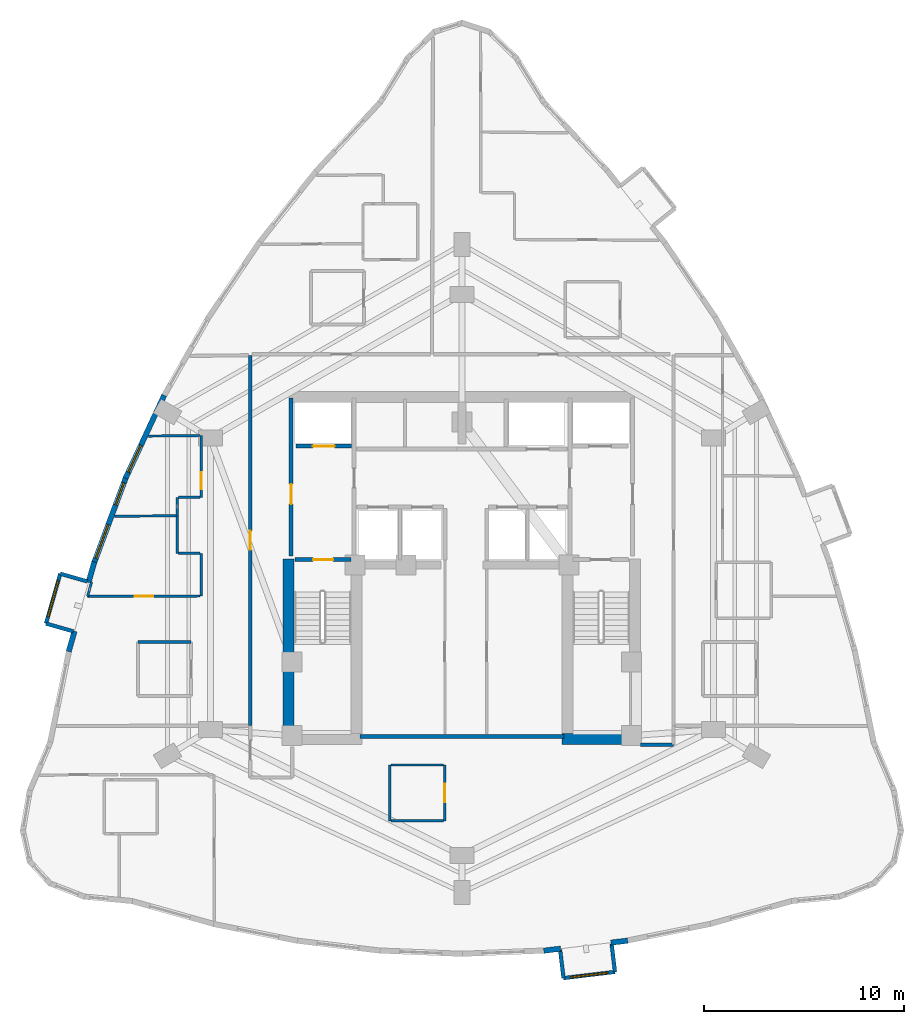
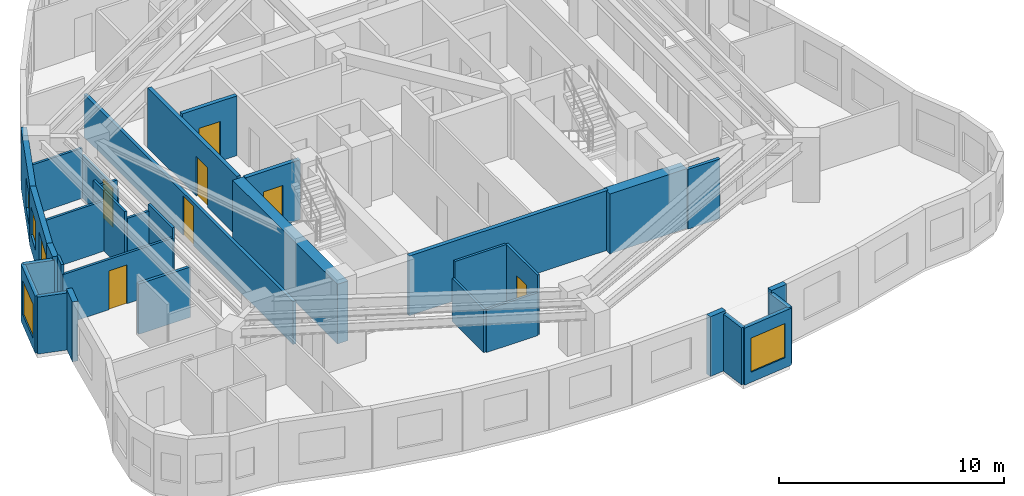
# One storey, part 9 of 14: 35 walls, 7 doors, 5 windows, 12 openings.
"""IFC4 building model written with IfcOpenShell, lengths in metres."""

from ifc_helpers import new_model, si_unit, direction, frame, frame_2d, origin, place, context, subcontext, project, spatial, rectangle, extrude, material, layer, layer_set, type_object, element, fill, save


model = new_model("IFC4")

# Units and contexts
model_context = context("Model", 3, precision=1e-05, world=origin(), true_north=direction((0.0, 1.0)))
body_context = subcontext(model_context, "Body", "Model", "MODEL_VIEW")
ifc_project = project(units=[si_unit("LENGTHUNIT", "METRE"), si_unit("AREAUNIT", "SQUARE_METRE"), si_unit("VOLUMEUNIT", "CUBIC_METRE"), si_unit("PLANEANGLEUNIT", "RADIAN"), si_unit("MASSUNIT", "GRAM", prefix="KILO")], contexts=[model_context])

# Site, building, storey
site_placement = place(None, origin())
site = spatial("IfcSite", under=ifc_project, at=site_placement, CompositionType="ELEMENT")
building_placement = place(site_placement, origin())
building = spatial("IfcBuilding", under=site, at=building_placement, Name="Miruveldt Soraemaru", CompositionType="ELEMENT")
storey_placement = place(building_placement, frame((0.0, 0.0, 117.89990234375)))
storey = spatial("IfcBuildingStorey", under=building, at=storey_placement, Name="L32", CompositionType="ELEMENT", Elevation=117.89990234375)

# Walls
ifc_material_1 = material(Name="White powder-coated aluminium EN AW-6060 T6", Category="aluminium")
ifc_layer_1 = layer(ifc_material_1, 0.18994140625, Name="White powder-coated aluminium EN AW-6060 T6", Category="aluminium")
ifc_layer_set_1 = layer_set([ifc_layer_1], Name="White powder-coated aluminium EN AW-6060 T6")
wall_type_1 = type_object("IfcWallType", Name="WALL-BAY-ALU190", PredefinedType="SOLIDWALL", material=ifc_layer_set_1)
for number, where, z_axis, x_axis, name in (
    (1, (25.25537109375, 43.22021484375, 0.0), (0.0, 0.0, 1.0), (-0.961452801096, 0.274970018845, 0.0), "L32 Bay Window Side Cheek 1L"),
    (2, (23.17041015625, 41.1123046875, 0.0), (0.0, 0.0, 1.0), (0.961452801096, -0.274970018845, 0.0), "L32 Bay Window Side Cheek 1R"),
):
    element("IfcWall", number, at=place(storey_placement, frame(where, z_axis=z_axis, x_axis=x_axis)), inside=storey, type_object=wall_type_1, Name=name, PredefinedType="SOLIDWALL", context=body_context, shape_type="SweptSolid", body=[
        extrude(rectangle(XDim=1.425048828125, YDim=0.18994140625, at=frame_2d((0.71240234375, 0.0))), origin(), (0.0, 0.0, 1.0), 3.085205078125),
    ])

# Wall, opening, window
wall_1_placement = place(storey_placement, frame((23.88525390625, 43.612060546875, 0.0), z_axis=(0.0, 0.0, 1.0), x_axis=(-0.274944358644, -0.961460139397, 0.0)))
wall_1 = element("IfcWall", 3, at=wall_1_placement, inside=storey, type_object=wall_type_1, Name="L32 Bay Window Front Frame 1", PredefinedType="SOLIDWALL", context=body_context, shape_type="SweptSolid", body=[
    extrude(rectangle(XDim=2.599853515625, YDim=0.18994140625, at=frame_2d((1.2998046875, 0.0))), origin(), (0.0, 0.0, 1.0), 3.085205078125),
])
opening_1_placement = place(wall_1_placement, frame((0.35009765625, 0.0, 0.550048828125)))
opening_1 = element("IfcOpeningElement", 4, at=opening_1_placement, cuts=wall_1, Name="Opening WN-6", PredefinedType="OPENING", context=body_context, shape_type="SweptSolid", body=[
    extrude(rectangle(XDim=1.89990234375, YDim=1.85009765625, at=frame_2d((0.949951171875, 0.925048828125))), frame((0.0, 0.10498046875, 0.0), z_axis=(0.0, -1.0, 0.0), x_axis=(1.0, 0.0, 0.0)), (0.0, 0.0, 1.0), 0.2099609375),
])
ifc_material_2 = material(Name="Triple low-e insulated glazing", Category="glass")
window_type_1 = type_object("IfcWindowType", Name="WIN-BAYW-1900x1850", PartitioningType="SINGLE_PANEL", PredefinedType="WINDOW", material=ifc_material_2)
window_1_placement = place(opening_1_placement, origin())
window_1 = element("IfcWindow", 5, at=window_1_placement, inside=storey, type_object=window_type_1, Name="L32 Projecting Bay Window 1", OverallHeight=1.85009765625, OverallWidth=1.89990234375, PartitioningType="SINGLE_PANEL", PredefinedType="WINDOW", context=body_context, shape_type="SweptSolid", body=[
    extrude(rectangle(XDim=1.89990234375, YDim=1.85009765625, at=frame_2d((0.949951171875, 0.925048828125))), frame((0.0, 0.030029296875, 0.0), z_axis=(0.0, -1.0, 0.0), x_axis=(1.0, 0.0, 0.0)), (0.0, 0.0, 1.0), 0.06005859375),
])
fill(opening_1, window_1)

# Walls
for number, where, z_axis, x_axis, name in (
    (6, (48.915283203125, 24.7744140625, 0.0), (0.0, 0.0, 1.0), (0.119246559468, -0.992864672579, 0.0), "L32 Bay Window Side Cheek 2L"),
    (7, (51.66650390625, 23.66943359375, 0.0), (0.0, 0.0, 1.0), (-0.119077659317, 0.992884943511, 0.0), "L32 Bay Window Side Cheek 2R"),
):
    element("IfcWall", number, at=place(storey_placement, frame(where, z_axis=z_axis, x_axis=x_axis)), inside=storey, type_object=wall_type_1, Name=name, PredefinedType="SOLIDWALL", context=body_context, shape_type="SweptSolid", body=[
        extrude(rectangle(XDim=1.425048828125, YDim=0.18994140625, at=frame_2d((0.71240234375, 0.0))), origin(), (0.0, 0.0, 1.0), 3.085205078125),
    ])

# Wall, opening, window
wall_2_placement = place(storey_placement, frame((49.085205078125, 23.359619140625, 0.0), z_axis=(0.0, 0.0, 1.0), x_axis=(0.992874172121, 0.119167438232, 0.0)))
wall_2 = element("IfcWall", 8, at=wall_2_placement, inside=storey, type_object=wall_type_1, Name="L32 Bay Window Front Frame 2", PredefinedType="SOLIDWALL", context=body_context, shape_type="SweptSolid", body=[
    extrude(rectangle(XDim=2.599853515625, YDim=0.18994140625, at=frame_2d((1.2998046875, 0.0))), origin(), (0.0, 0.0, 1.0), 3.085205078125),
])
opening_2_placement = place(wall_2_placement, frame((0.35009765625, 0.0, 0.550048828125)))
opening_2 = element("IfcOpeningElement", 9, at=opening_2_placement, cuts=wall_2, Name="Opening WN-6", PredefinedType="OPENING", context=body_context, shape_type="SweptSolid", body=[
    extrude(rectangle(XDim=1.89990234375, YDim=1.85009765625, at=frame_2d((0.949951171875, 0.925048828125))), frame((0.0, 0.10498046875, 0.0), z_axis=(0.0, -1.0, 0.0), x_axis=(1.0, 0.0, 0.0)), (0.0, 0.0, 1.0), 0.2099609375),
])
window_2_placement = place(opening_2_placement, origin())
window_2 = element("IfcWindow", 10, at=window_2_placement, inside=storey, type_object=window_type_1, Name="L32 Projecting Bay Window 2", OverallHeight=1.85009765625, OverallWidth=1.89990234375, PartitioningType="SINGLE_PANEL", PredefinedType="WINDOW", context=body_context, shape_type="SweptSolid", body=[
    extrude(rectangle(XDim=1.89990234375, YDim=1.85009765625, at=frame_2d((0.949951171875, 0.925048828125))), frame((0.0, 0.030029296875, 0.0), z_axis=(0.0, -1.0, 0.0), x_axis=(1.0, 0.0, 0.0)), (0.0, 0.0, 1.0), 0.06005859375),
])
fill(opening_2, window_2)

# Walls
ifc_material_3 = material(Name="Concrete C70/85 (70 MPa)", Category="concrete")
ifc_layer_2 = layer(ifc_material_3, 0.550048828125, Name="Concrete C70/85 (70 MPa)", Category="concrete")
ifc_layer_set_2 = layer_set([ifc_layer_2], Name="Concrete C70/85 (70 MPa)")
wall_type_2 = type_object("IfcWallType", Name="WALL-CW-550", PredefinedType="SHEAR", material=ifc_layer_set_2)
wall_3_placement = place(storey_placement, frame((49.0, 35.324951171875, 0.0), z_axis=(0.0, 0.0, 1.0), x_axis=(1.0, 0.0, 0.0)))
element("IfcWall", 11, at=wall_3_placement, inside=storey, type_object=wall_type_2, Name="L32 Central Core Shear Wall S2", PredefinedType="SHEAR", context=body_context, shape_type="SweptSolid", body=[
    extrude(rectangle(XDim=3.949951171875, YDim=0.550048828125, at=frame_2d((1.97509765625, 0.0))), origin(), (0.0, 0.0, 1.0), 3.235107421875),
])
wall_4_placement = place(storey_placement, frame((35.324951171875, 35.050048828125, 0.0), z_axis=(0.0, 0.0, 1.0), x_axis=(0.0, 1.0, 0.0)))
element("IfcWall", 12, at=wall_4_placement, inside=storey, type_object=wall_type_2, Name="L32 Central Core Shear Wall W1", PredefinedType="SHEAR", context=body_context, shape_type="SweptSolid", body=[
    extrude(rectangle(XDim=9.300048828125, YDim=0.550048828125, at=frame_2d((4.64990234375, 0.0))), origin(), (0.0, 0.0, 1.0), 3.235107421875),
])

# Wall, opening, window
ifc_material_4 = material(Name="Precast concrete C45/55 (45 MPa)", Category="concrete")
ifc_layer_3 = layer(ifc_material_4, 0.27001953125, Name="Precast concrete C45/55 (45 MPa)", Category="concrete")
ifc_layer_set_3 = layer_set([ifc_layer_3], Name="Precast concrete C45/55 (45 MPa)")
wall_type_3 = type_object("IfcWallType", Name="WALL-EXT-PC270", PredefinedType="SOLIDWALL", material=ifc_layer_set_3)
wall_5_placement = place(storey_placement, frame((29.089599609375, 52.54638671875, 0.0), z_axis=(0.0, 0.0, 1.0), x_axis=(-0.422328448577, -0.90644287273, 0.0)))
wall_5 = element("IfcWall", 13, at=wall_5_placement, inside=storey, type_object=wall_type_3, Name="L32 Precast Concrete Facade Wall 11", PredefinedType="SOLIDWALL", context=body_context, shape_type="SweptSolid", body=[
    extrude(rectangle(XDim=4.58349609375, YDim=0.27001953125, at=frame_2d((2.291748046875, 0.0))), origin(), (0.0, 0.0, 1.0), 3.235107421875),
])
opening_3_placement = place(wall_5_placement, frame((2.756103515625, 0.0, 0.800048828125)))
opening_3 = element("IfcOpeningElement", 14, at=opening_3_placement, cuts=wall_5, Name="Opening WN-3", PredefinedType="OPENING", context=body_context, shape_type="SweptSolid", body=[
    extrude(rectangle(XDim=1.5, YDim=1.60009765625, at=frame_2d((0.75, 0.800048828125))), frame((0.0, 0.14501953125, 0.0), z_axis=(0.0, -1.0, 0.0), x_axis=(1.0, 0.0, 0.0)), (0.0, 0.0, 1.0), 0.2900390625),
])
window_type_2 = type_object("IfcWindowType", Name="WIN-PUNCH-1500x1600", PartitioningType="SINGLE_PANEL", PredefinedType="WINDOW", material=ifc_material_2)
window_3_placement = place(opening_3_placement, origin())
window_3 = element("IfcWindow", 15, at=window_3_placement, inside=storey, type_object=window_type_2, Name="L32 Punched Triple-Glazed Window 11.1", OverallHeight=1.60009765625, OverallWidth=1.5, PartitioningType="SINGLE_PANEL", PredefinedType="WINDOW", context=body_context, shape_type="SweptSolid", body=[
    extrude(rectangle(XDim=1.5, YDim=1.60009765625, at=frame_2d((0.75, 0.800048828125))), frame((0.0, 0.030029296875, 0.0), z_axis=(0.0, -1.0, 0.0), x_axis=(1.0, 0.0, 0.0)), (0.0, 0.0, 1.0), 0.06005859375),
])
fill(opening_3, window_3)

# Wall, openings, windows
wall_6_placement = place(storey_placement, frame((27.180908203125, 48.4560546875, 0.0), z_axis=(0.0, 0.0, 1.0), x_axis=(-0.349016975662, -0.937116401895, 0.0)))
wall_6 = element("IfcWall", 16, at=wall_6_placement, inside=storey, type_object=wall_type_3, Name="L32 Precast Concrete Facade Wall 12", PredefinedType="SOLIDWALL", context=body_context, shape_type="SweptSolid", body=[
    extrude(rectangle(XDim=4.612548828125, YDim=0.27001953125, at=frame_2d((2.30615234375, 0.0))), origin(), (0.0, 0.0, 1.0), 3.235107421875),
])
opening_4_placement = place(wall_6_placement, frame((0.302001953125, 0.0, 0.780029296875)))
opening_4 = element("IfcOpeningElement", 17, at=opening_4_placement, cuts=wall_6, Name="Opening WN-4", PredefinedType="OPENING", context=body_context, shape_type="SweptSolid", body=[
    extrude(rectangle(XDim=1.199951171875, YDim=1.550048828125, at=frame_2d((0.60009765625, 0.77490234375))), frame((0.0, 0.14501953125, 0.0), z_axis=(0.0, -1.0, 0.0), x_axis=(1.0, 0.0, 0.0)), (0.0, 0.0, 1.0), 0.2900390625),
])
opening_5_placement = place(wall_6_placement, frame((2.549072265625, 0.0, 0.800048828125)))
opening_5 = element("IfcOpeningElement", 18, at=opening_5_placement, cuts=wall_6, Name="Opening WN-2", PredefinedType="OPENING", context=body_context, shape_type="SweptSolid", body=[
    extrude(rectangle(XDim=1.800048828125, YDim=1.64990234375, at=frame_2d((0.89990234375, 0.824951171875))), frame((0.0, 0.14501953125, 0.0), z_axis=(0.0, -1.0, 0.0), x_axis=(1.0, 0.0, 0.0)), (0.0, 0.0, 1.0), 0.2900390625),
])
window_type_3 = type_object("IfcWindowType", Name="WIN-PUNCH-1200x1550", PartitioningType="SINGLE_PANEL", PredefinedType="WINDOW", material=ifc_material_2)
window_4_placement = place(opening_4_placement, origin())
window_4 = element("IfcWindow", 19, at=window_4_placement, inside=storey, type_object=window_type_3, Name="L32 Punched Triple-Glazed Window 12.1", OverallHeight=1.550048828125, OverallWidth=1.199951171875, PartitioningType="SINGLE_PANEL", PredefinedType="WINDOW", context=body_context, shape_type="SweptSolid", body=[
    extrude(rectangle(XDim=1.199951171875, YDim=1.550048828125, at=frame_2d((0.60009765625, 0.77490234375))), frame((0.0, 0.030029296875, 0.0), z_axis=(0.0, -1.0, 0.0), x_axis=(1.0, 0.0, 0.0)), (0.0, 0.0, 1.0), 0.06005859375),
])
fill(opening_4, window_4)
window_type_4 = type_object("IfcWindowType", Name="WIN-PUNCH-1800x1650", PartitioningType="SINGLE_PANEL", PredefinedType="WINDOW", material=ifc_material_2)
window_5_placement = place(opening_5_placement, origin())
window_5 = element("IfcWindow", 20, at=window_5_placement, inside=storey, type_object=window_type_4, Name="L32 Punched Triple-Glazed Window 12.2", OverallHeight=1.64990234375, OverallWidth=1.800048828125, PartitioningType="SINGLE_PANEL", PredefinedType="WINDOW", context=body_context, shape_type="SweptSolid", body=[
    extrude(rectangle(XDim=1.800048828125, YDim=1.64990234375, at=frame_2d((0.89990234375, 0.824951171875))), frame((0.0, 0.030029296875, 0.0), z_axis=(0.0, -1.0, 0.0), x_axis=(1.0, 0.0, 0.0)), (0.0, 0.0, 1.0), 0.06005859375),
])
fill(opening_5, window_5)

# Walls
for number, where, z_axis, x_axis, name in (
    (21, (25.5927734375, 44.2001953125, 0.0), (0.0, 0.0, 1.0), (-0.274933117424, -0.961463353927, 0.0), "L32 Precast Pier Wall 13A"),
    (22, (24.6015625, 40.734130859375, 0.0), (0.0, 0.0, 1.0), (-0.274933117424, -0.961463353927, 0.0), "L32 Precast Pier Wall 13B"),
):
    element("IfcWall", number, at=place(storey_placement, frame(where, z_axis=z_axis, x_axis=x_axis)), inside=storey, type_object=wall_type_3, Name=name, PredefinedType="SOLIDWALL", context=body_context, shape_type="SweptSolid", body=[
        extrude(rectangle(XDim=1.064697265625, YDim=0.27001953125, at=frame_2d((0.5322265625, 0.0))), origin(), (0.0, 0.0, 1.0), 3.235107421875),
    ])
wall_7_placement = place(storey_placement, frame((48.09814453125, 24.731689453125, 0.0), z_axis=(0.0, 0.0, 1.0), x_axis=(0.992848154991, 0.119384007019, 0.0)))
element("IfcWall", 23, at=wall_7_placement, inside=storey, type_object=wall_type_3, Name="L32 Precast Pier Wall 26A", PredefinedType="SOLIDWALL", context=body_context, shape_type="SweptSolid", body=[
    extrude(rectangle(XDim=0.8466796875, YDim=0.27001953125, at=frame_2d((0.42333984375, 0.0))), origin(), (0.0, 0.0, 1.0), 3.235107421875),
])
wall_8_placement = place(storey_placement, frame((51.46044921875, 25.13525390625, 0.0), z_axis=(0.0, 0.0, 1.0), x_axis=(0.992878203373, 0.119133846018, 0.0)))
element("IfcWall", 24, at=wall_8_placement, inside=storey, type_object=wall_type_3, Name="L32 Precast Pier Wall 26B", PredefinedType="SOLIDWALL", context=body_context, shape_type="SweptSolid", body=[
    extrude(rectangle(XDim=0.846435546875, YDim=0.27001953125, at=frame_2d((0.42333984375, 0.0))), origin(), (0.0, 0.0, 1.0), 3.235107421875),
])

# Wall, opening, door
ifc_material_5 = material(Name="Gypsum plasterboard lining", Category="gypsum")
ifc_layer_4 = layer(ifc_material_5, 0.1201171875, Name="Gypsum plasterboard lining", Category="gypsum")
ifc_layer_set_4 = layer_set([ifc_layer_4], Name="Gypsum plasterboard lining")
wall_type_4 = type_object("IfcWallType", Name="WALL-INT-P120", PredefinedType="PARTITIONING", material=ifc_layer_set_4)
wall_9_placement = place(storey_placement, frame((30.889892578125, 42.491943359375, 0.0), z_axis=(0.0, 0.0, 1.0), x_axis=(-0.999994289867, -0.003379383675, 0.0)))
wall_9 = element("IfcWall", 25, at=wall_9_placement, inside=storey, type_object=wall_type_4, Name="L32 Partition Wall 43", PredefinedType="PARTITIONING", context=body_context, shape_type="SweptSolid", body=[
    extrude(rectangle(XDim=5.635009765625, YDim=0.1201171875, at=frame_2d((2.8173828125, 0.0))), origin(), (0.0, 0.0, 1.0), 2.72314453125),
])
opening_6_placement = place(wall_9_placement, frame((2.35791015625, 0.0, 0.0)))
opening_6 = element("IfcOpeningElement", 26, at=opening_6_placement, cuts=wall_9, Name="Opening D3A", PredefinedType="OPENING", context=body_context, shape_type="SweptSolid", body=[
    extrude(rectangle(XDim=0.919921875, YDim=2.10009765625, at=frame_2d((0.4599609375, 1.050048828125))), frame((0.0, 0.070068359375, 0.0), z_axis=(0.0, -1.0, 0.0), x_axis=(1.0, 0.0, 0.0)), (0.0, 0.0, 1.0), 0.14013671875),
])
ifc_material_6 = material(Name="Anodised aluminium EN AW-6063 T6", Category="aluminium")
door_type_1 = type_object("IfcDoorType", Name="DOOR-INT-920", OperationType="NOTDEFINED", PredefinedType="DOOR", material=ifc_material_6)
door_1_placement = place(opening_6_placement, origin())
door_1 = element("IfcDoor", 27, at=door_1_placement, inside=storey, type_object=door_type_1, Name="L32 Unit 3203 BD1 Door", OperationType="SINGLE_SWING_LEFT", OverallHeight=2.10009765625, OverallWidth=0.919921875, PredefinedType="DOOR", context=body_context, shape_type="SweptSolid", body=[
    extrude(rectangle(XDim=0.919921875, YDim=2.10009765625, at=frame_2d((0.4599609375, 1.050048828125))), frame((0.0, 0.02490234375, 0.0), z_axis=(0.0, -1.0, 0.0), x_axis=(1.0, 0.0, 0.0)), (0.0, 0.0, 1.0), 0.050048828125),
])
fill(opening_6, door_1)

wall_10_placement = place(storey_placement, frame((30.949951171875, 50.531005859375, 0.0), z_axis=(0.0, 0.0, 1.0), x_axis=(0.0, -1.0, 0.0)))
wall_10 = element("IfcWall", 28, at=wall_10_placement, inside=storey, type_object=wall_type_4, Name="L32 Partition Wall 45", PredefinedType="PARTITIONING", context=body_context, shape_type="SweptSolid", body=[
    extrude(rectangle(XDim=3.10107421875, YDim=0.1201171875, at=frame_2d((1.550537109375, 0.0))), origin(), (0.0, 0.0, 1.0), 2.322998046875),
])
opening_7_placement = place(wall_10_placement, frame((1.840087890625, 0.0, 0.0)))
opening_7 = element("IfcOpeningElement", 29, at=opening_7_placement, cuts=wall_10, Name="Opening FD3", PredefinedType="OPENING", context=body_context, shape_type="SweptSolid", body=[
    extrude(rectangle(XDim=0.85009765625, YDim=2.10009765625, at=frame_2d((0.425048828125, 1.050048828125))), frame((0.0, 0.070068359375, 0.0), z_axis=(0.0, -1.0, 0.0), x_axis=(1.0, 0.0, 0.0)), (0.0, 0.0, 1.0), 0.14013671875),
])
door_type_2 = type_object("IfcDoorType", Name="DOOR-FD3-850", OperationType="NOTDEFINED", PredefinedType="DOOR", material=ifc_material_6)
door_2_placement = place(opening_7_placement, origin())
door_2 = element("IfcDoor", 30, at=door_2_placement, inside=storey, type_object=door_type_2, Name="L32 Unit 3203 BD2 Door", OperationType="SINGLE_SWING_RIGHT", OverallHeight=2.10009765625, OverallWidth=0.85009765625, PredefinedType="DOOR", context=body_context, shape_type="SweptSolid", body=[
    extrude(rectangle(XDim=0.85009765625, YDim=2.10009765625, at=frame_2d((0.425048828125, 1.050048828125))), frame((0.0, 0.02490234375, 0.0), z_axis=(0.0, -1.0, 0.0), x_axis=(1.0, 0.0, 0.0)), (0.0, 0.0, 1.0), 0.050048828125),
])
fill(opening_7, door_2)

wall_11_placement = place(storey_placement, frame((43.139892578125, 31.23291015625, 0.0), z_axis=(0.0, 0.0, 1.0), x_axis=(0.0, 1.0, 0.0)))
wall_11 = element("IfcWall", 31, at=wall_11_placement, inside=storey, type_object=wall_type_4, Name="L32 Partition Wall 63", PredefinedType="PARTITIONING", context=body_context, shape_type="SweptSolid", body=[
    extrude(rectangle(XDim=2.800048828125, YDim=0.1201171875, at=frame_2d((1.39990234375, 0.0))), origin(), (0.0, 0.0, 1.0), 3.235107421875),
])
opening_8_placement = place(wall_11_placement, frame((0.93994140625, 0.0, 0.0)))
opening_8 = element("IfcOpeningElement", 32, at=opening_8_placement, cuts=wall_11, Name="Opening D3A", PredefinedType="OPENING", context=body_context, shape_type="SweptSolid", body=[
    extrude(rectangle(XDim=0.919921875, YDim=2.10009765625, at=frame_2d((0.4599609375, 1.050048828125))), frame((0.0, 0.070068359375, 0.0), z_axis=(0.0, -1.0, 0.0), x_axis=(1.0, 0.0, 0.0)), (0.0, 0.0, 1.0), 0.14013671875),
])
door_3_placement = place(opening_8_placement, origin())
door_3 = element("IfcDoor", 33, at=door_3_placement, inside=storey, type_object=door_type_1, Name="L32 Unit 3205 KIT Door", OperationType="SINGLE_SWING_LEFT", OverallHeight=2.10009765625, OverallWidth=0.919921875, PredefinedType="DOOR", context=body_context, shape_type="SweptSolid", body=[
    extrude(rectangle(XDim=0.919921875, YDim=2.10009765625, at=frame_2d((0.4599609375, 1.050048828125))), frame((0.0, 0.02490234375, 0.0), z_axis=(0.0, -1.0, 0.0), x_axis=(1.0, 0.0, 0.0)), (0.0, 0.0, 1.0), 0.050048828125),
])
fill(opening_8, door_3)

# Walls
wall_12_placement = place(storey_placement, frame((29.677978515625, 46.511962890625, 0.0), z_axis=(0.0, 0.0, 1.0), x_axis=(-0.99996710477, -0.008111065184, 0.0)))
element("IfcWall", 34, at=wall_12_placement, inside=storey, type_object=wall_type_4, Name="L32 Partition Wall 49", PredefinedType="PARTITIONING", context=body_context, shape_type="SweptSolid", body=[
    extrude(rectangle(XDim=3.070068359375, YDim=0.1201171875, at=frame_2d((1.53515625, 0.0))), origin(), (0.0, 0.0, 1.0), 2.72314453125),
])
wall_13_placement = place(storey_placement, frame((40.389892578125, 34.032958984375, 0.0), z_axis=(0.0, 0.0, 1.0), x_axis=(0.0, -1.0, 0.0)))
element("IfcWall", 35, at=wall_13_placement, inside=storey, type_object=wall_type_4, Name="L32 Partition Wall 65", PredefinedType="PARTITIONING", context=body_context, shape_type="SweptSolid", body=[
    extrude(rectangle(XDim=2.800048828125, YDim=0.1201171875, at=frame_2d((1.39990234375, 0.0))), origin(), (0.0, 0.0, 1.0), 2.322998046875),
])
wall_14_placement = place(storey_placement, frame((43.080078125, 34.032958984375, 0.0), z_axis=(0.0, 0.0, 1.0), x_axis=(-1.0, 0.0, 0.0)))
element("IfcWall", 36, at=wall_14_placement, inside=storey, type_object=wall_type_4, Name="L32 Partition Wall 64", PredefinedType="PARTITIONING", context=body_context, shape_type="SweptSolid", body=[
    extrude(rectangle(XDim=2.630126953125, YDim=0.1201171875, at=frame_2d((1.31494140625, 0.0))), origin(), (0.0, 0.0, 1.0), 3.235107421875),
])
wall_15_placement = place(storey_placement, frame((40.449951171875, 31.23291015625, 0.0), z_axis=(0.0, 0.0, 1.0), x_axis=(1.0, 0.0, 0.0)))
element("IfcWall", 37, at=wall_15_placement, inside=storey, type_object=wall_type_4, Name="L32 Partition Wall 66", PredefinedType="PARTITIONING", context=body_context, shape_type="SweptSolid", body=[
    extrude(rectangle(XDim=2.630126953125, YDim=0.1201171875, at=frame_2d((1.31494140625, 0.0))), origin(), (0.0, 0.0, 1.0), 2.322998046875),
])
wall_16_placement = place(storey_placement, frame((28.302001953125, 50.5009765625, 0.0), z_axis=(0.0, 0.0, 1.0), x_axis=(0.999936989758, 0.011225707715, 0.0)))
element("IfcWall", 38, at=wall_16_placement, inside=storey, type_object=wall_type_4, Name="L32 Partition Wall 44", PredefinedType="PARTITIONING", context=body_context, shape_type="SweptSolid", body=[
    extrude(rectangle(XDim=2.588134765625, YDim=0.1201171875, at=frame_2d((1.2939453125, 0.0))), origin(), (0.0, 0.0, 1.0), 2.72314453125),
])
wall_17_placement = place(storey_placement, frame((30.949951171875, 44.6298828125, 0.0), z_axis=(0.0, 0.0, 1.0), x_axis=(0.0, -1.0, 0.0)))
element("IfcWall", 39, at=wall_17_placement, inside=storey, type_object=wall_type_4, Name="L32 Partition Wall 42", PredefinedType="PARTITIONING", context=body_context, shape_type="SweptSolid", body=[
    extrude(rectangle(XDim=2.137939453125, YDim=0.1201171875, at=frame_2d((1.06884765625, 0.0))), origin(), (0.0, 0.0, 1.0), 3.235107421875),
])
wall_18_placement = place(storey_placement, frame((29.738037109375, 46.511962890625, 0.0), z_axis=(0.0, 0.0, 1.0), x_axis=(0.0, -1.0, 0.0)))
element("IfcWall", 40, at=wall_18_placement, inside=storey, type_object=wall_type_4, Name="L32 Partition Wall 40", PredefinedType="PARTITIONING", context=body_context, shape_type="SweptSolid", body=[
    extrude(rectangle(XDim=1.882080078125, YDim=0.1201171875, at=frame_2d((0.94091796875, 0.0))), origin(), (0.0, 0.0, 1.0), 3.235107421875),
])
for number, where, z_axis, x_axis, name in (
    (41, (29.798095703125, 44.6298828125, 0.0), (0.0, 0.0, 1.0), (1.0, 0.0, 0.0), "L32 Partition Wall 41"),
    (42, (30.889892578125, 47.429931640625, 0.0), (0.0, 0.0, 1.0), (-1.0, 0.0, 0.0), "L32 Partition Wall 46"),
):
    element("IfcWall", number, at=place(storey_placement, frame(where, z_axis=z_axis, x_axis=x_axis)), inside=storey, type_object=wall_type_4, Name=name, PredefinedType="PARTITIONING", context=body_context, shape_type="SweptSolid", body=[
        extrude(rectangle(XDim=1.091796875, YDim=0.1201171875, at=frame_2d((0.5458984375, 0.0))), origin(), (0.0, 0.0, 1.0), 2.873046875),
    ])
wall_19_placement = place(storey_placement, frame((29.738037109375, 47.429931640625, 0.0), z_axis=(0.0, 0.0, 1.0), x_axis=(0.0, -1.0, 0.0)))
element("IfcWall", 43, at=wall_19_placement, inside=storey, type_object=wall_type_4, Name="L32 Partition Wall 47", PredefinedType="PARTITIONING", context=body_context, shape_type="SweptSolid", body=[
    extrude(rectangle(XDim=0.91796875, YDim=0.1201171875, at=frame_2d((0.458984375, 0.0))), origin(), (0.0, 0.0, 1.0), 3.235107421875),
])
wall_20_placement = place(storey_placement, frame((25.2548828125, 42.472900390625, 0.0), z_axis=(0.0, 0.0, 1.0), x_axis=(0.266366427774, 0.963871841146, 0.0)))
element("IfcWall", 44, at=wall_20_placement, inside=storey, type_object=wall_type_4, Name="L32 Partition Closure Return 1", PredefinedType="PARTITIONING", context=body_context, shape_type="SweptSolid", body=[
    extrude(rectangle(XDim=0.76904296875, YDim=0.1201171875, at=frame_2d((0.384521484375, 0.0))), origin(), (0.0, 0.0, 1.0), 3.235107421875),
])
ifc_layer_5 = layer(ifc_material_5, 0.14990234375, Name="Gypsum plasterboard lining", Category="gypsum")
ifc_layer_set_5 = layer_set([ifc_layer_5], Name="Gypsum plasterboard lining")
wall_type_5 = type_object("IfcWallType", Name="WALL-INT-PLUMB", PredefinedType="PLUMBINGWALL", material=ifc_layer_set_5)
wall_21_placement = place(storey_placement, frame((30.43798828125, 40.179931640625, 0.0), z_axis=(0.0, 0.0, 1.0), x_axis=(-1.0, 0.0, 0.0)))
element("IfcWall", 45, at=wall_21_placement, inside=storey, type_object=wall_type_5, Name="L32 Partition Wall 37", PredefinedType="PLUMBINGWALL", context=body_context, shape_type="SweptSolid", body=[
    extrude(rectangle(XDim=2.64990234375, YDim=0.14990234375, at=frame_2d((1.324951171875, 0.0))), origin(), (0.0, 0.0, 1.0), 2.72314453125),
])

# Wall, opening, door
ifc_material_7 = material(Name="Concrete C40/50 (40 MPa)", Category="concrete")
ifc_layer_6 = layer(ifc_material_7, 0.159912109375, Name="Concrete C40/50 (40 MPa)", Category="concrete")
ifc_layer_set_6 = layer_set([ifc_layer_6], Name="Concrete C40/50 (40 MPa)")
wall_type_6 = type_object("IfcWallType", Name="WALL-INT-RC160", PredefinedType="SOLIDWALL", material=ifc_layer_set_6)
wall_22_placement = place(storey_placement, frame((33.39990234375, 54.547119140625, 0.0), z_axis=(0.0, 0.0, 1.0), x_axis=(0.0, -1.0, 0.0)))
wall_22 = element("IfcWall", 46, at=wall_22_placement, inside=storey, type_object=wall_type_6, Name="L32 Partition Wall 3", PredefinedType="SOLIDWALL", context=body_context, shape_type="SweptSolid", body=[
    extrude(rectangle(XDim=18.544189453125, YDim=0.159912109375, at=frame_2d((9.27197265625, 0.0))), origin(), (0.0, 0.0, 1.0), 2.322998046875),
])
opening_9_placement = place(wall_22_placement, frame((8.797119140625, 0.0, 0.0)))
opening_9 = element("IfcOpeningElement", 47, at=opening_9_placement, cuts=wall_22, Name="Opening FD2", PredefinedType="OPENING", context=body_context, shape_type="SweptSolid", body=[
    extrude(rectangle(XDim=0.949951171875, YDim=2.14990234375, at=frame_2d((0.47509765625, 1.074951171875))), frame((0.0, 0.08984375, 0.0), z_axis=(0.0, -1.0, 0.0), x_axis=(1.0, 0.0, 0.0)), (0.0, 0.0, 1.0), 0.179931640625),
])
door_type_3 = type_object("IfcDoorType", Name="DOOR-FD2-950", OperationType="NOTDEFINED", PredefinedType="DOOR", material=ifc_material_6)
door_4_placement = place(opening_9_placement, origin())
door_4 = element("IfcDoor", 48, at=door_4_placement, inside=storey, type_object=door_type_3, Name="L32 Unit 3203 Entrance Fire Door", OperationType="SINGLE_SWING_LEFT", OverallHeight=2.14990234375, OverallWidth=0.949951171875, PredefinedType="DOOR", context=body_context, shape_type="SweptSolid", body=[
    extrude(rectangle(XDim=0.949951171875, YDim=2.14990234375, at=frame_2d((0.47509765625, 1.074951171875))), frame((0.0, 0.02490234375, 0.0), z_axis=(0.0, -1.0, 0.0), x_axis=(1.0, 0.0, 0.0)), (0.0, 0.0, 1.0), 0.050048828125),
])
fill(opening_9, door_4)

# Wall
wall_23_placement = place(storey_placement, frame((52.946044921875, 35.050048828125, 0.0), z_axis=(0.0, 0.0, 1.0), x_axis=(1.0, 0.0, 0.0)))
element("IfcWall", 49, at=wall_23_placement, inside=storey, type_object=wall_type_6, Name="L32 Partition Wall 8", PredefinedType="SOLIDWALL", context=body_context, shape_type="SweptSolid", body=[
    extrude(rectangle(XDim=1.654052734375, YDim=0.159912109375, at=frame_2d((0.8271484375, 0.0))), origin(), (0.0, 0.0, 1.0), 3.235107421875),
])

# Wall, opening, door
ifc_layer_7 = layer(ifc_material_7, 0.199951171875, Name="Concrete C40/50 (40 MPa)", Category="concrete")
ifc_layer_set_7 = layer_set([ifc_layer_7], Name="Concrete C40/50 (40 MPa)")
wall_type_7 = type_object("IfcWallType", Name="WALL-INT-RC200", PredefinedType="SOLIDWALL", material=ifc_layer_set_7)
wall_24_placement = place(storey_placement, frame((35.449951171875, 44.5, 0.0), z_axis=(0.0, 0.0, 1.0), x_axis=(0.0, 1.0, 0.0)))
wall_24 = element("IfcWall", 50, at=wall_24_placement, inside=storey, type_object=wall_type_7, Name="L32 Core Compartment Wall FFW-OUT", PredefinedType="SOLIDWALL", context=body_context, shape_type="SweptSolid", body=[
    extrude(rectangle(XDim=7.919921875, YDim=0.199951171875, at=frame_2d((3.9599609375, 0.0))), origin(), (0.0, 0.0, 1.0), 3.235107421875),
])
opening_10_placement = place(wall_24_placement, frame((2.60009765625, 0.0, 0.0)))
opening_10 = element("IfcOpeningElement", 51, at=opening_10_placement, cuts=wall_24, Name="Opening FD1", PredefinedType="OPENING", context=body_context, shape_type="SweptSolid", body=[
    extrude(rectangle(XDim=1.0, YDim=2.14990234375, at=frame_2d((0.5, 1.074951171875))), frame((0.0, 0.10986328125, 0.0), z_axis=(0.0, -1.0, 0.0), x_axis=(1.0, 0.0, 0.0)), (0.0, 0.0, 1.0), 0.219970703125),
])
door_type_4 = type_object("IfcDoorType", Name="DOOR-FD1-1000", OperationType="NOTDEFINED", PredefinedType="DOOR", material=ifc_material_6)
door_5_placement = place(opening_10_placement, origin())
door_5 = element("IfcDoor", 52, at=door_5_placement, inside=storey, type_object=door_type_4, Name="L32 West Firefighting Lobby Exit Door", OperationType="SINGLE_SWING_LEFT", OverallHeight=2.14990234375, OverallWidth=1.0, PredefinedType="DOOR", context=body_context, shape_type="SweptSolid", body=[
    extrude(rectangle(XDim=1.0, YDim=2.14990234375, at=frame_2d((0.5, 1.074951171875))), frame((0.0, 0.02490234375, 0.0), z_axis=(0.0, -1.0, 0.0), x_axis=(1.0, 0.0, 0.0)), (0.0, 0.0, 1.0), 0.050048828125),
])
fill(opening_10, door_5)

wall_25_placement = place(storey_placement, frame((35.64990234375, 44.320068359375, 0.0), z_axis=(0.0, 0.0, 1.0), x_axis=(1.0, 0.0, 0.0)))
wall_25 = element("IfcWall", 53, at=wall_25_placement, inside=storey, type_object=wall_type_7, Name="L32 Core Compartment Wall ST1-N", PredefinedType="SOLIDWALL", context=body_context, shape_type="SweptSolid", body=[
    extrude(rectangle(XDim=2.800048828125, YDim=0.199951171875, at=frame_2d((1.39990234375, 0.0))), origin(), (0.0, 0.0, 1.0), 3.235107421875),
])
opening_11_placement = place(wall_25_placement, frame((0.89990234375, 0.0, 0.0)))
opening_11 = element("IfcOpeningElement", 54, at=opening_11_placement, cuts=wall_25, Name="Opening FD1", PredefinedType="OPENING", context=body_context, shape_type="SweptSolid", body=[
    extrude(rectangle(XDim=1.0, YDim=2.14990234375, at=frame_2d((0.5, 1.074951171875))), frame((0.0, 0.10986328125, 0.0), z_axis=(0.0, -1.0, 0.0), x_axis=(1.0, 0.0, 0.0)), (0.0, 0.0, 1.0), 0.219970703125),
])
door_6_placement = place(opening_11_placement, frame((1.0, 0.0, 0.0), z_axis=(0.0, 0.0, 1.0), x_axis=(-1.0, 0.0, 0.0)))
door_6 = element("IfcDoor", 55, at=door_6_placement, inside=storey, type_object=door_type_4, Name="L32 Stair ST-1 Fire Door", OperationType="SINGLE_SWING_LEFT", OverallHeight=2.14990234375, OverallWidth=1.0, PredefinedType="DOOR", context=body_context, shape_type="SweptSolid", body=[
    extrude(rectangle(XDim=1.0, YDim=2.14990234375, at=frame_2d((0.5, 1.074951171875))), frame((0.0, 0.02490234375, 0.0), z_axis=(0.0, -1.0, 0.0), x_axis=(1.0, 0.0, 0.0)), (0.0, 0.0, 1.0), 0.050048828125),
])
fill(opening_11, door_6)

wall_26_placement = place(storey_placement, frame((35.679931640625, 50.0, 0.0), z_axis=(0.0, 0.0, 1.0), x_axis=(1.0, 0.0, 0.0)))
wall_26 = element("IfcWall", 56, at=wall_26_placement, inside=storey, type_object=wall_type_7, Name="L32 Core Compartment Wall FFL1-S", PredefinedType="SOLIDWALL", context=body_context, shape_type="SweptSolid", body=[
    extrude(rectangle(XDim=2.800048828125, YDim=0.199951171875, at=frame_2d((1.39990234375, 0.0))), origin(), (0.0, 0.0, 1.0), 3.235107421875),
])
opening_12_placement = place(wall_26_placement, frame((0.85009765625, 0.0, 0.0)))
opening_12 = element("IfcOpeningElement", 57, at=opening_12_placement, cuts=wall_26, Name="Opening LD2", PredefinedType="OPENING", context=body_context, shape_type="SweptSolid", body=[
    extrude(rectangle(XDim=1.10009765625, YDim=2.14990234375, at=frame_2d((0.550048828125, 1.074951171875))), frame((0.0, 0.10986328125, 0.0), z_axis=(0.0, -1.0, 0.0), x_axis=(1.0, 0.0, 0.0)), (0.0, 0.0, 1.0), 0.219970703125),
])
door_type_5 = type_object("IfcDoorType", Name="DOOR-LD2-1100", OperationType="SLIDING_TO_LEFT", PredefinedType="DOOR", material=ifc_material_6)
door_7_placement = place(opening_12_placement, origin())
door_7 = element("IfcDoor", 58, at=door_7_placement, inside=storey, type_object=door_type_5, Name="L32 FFL-1 Landing Door", OperationType="SLIDING_TO_LEFT", OverallHeight=2.14990234375, OverallWidth=1.10009765625, PredefinedType="DOOR", context=body_context, shape_type="SweptSolid", body=[
    extrude(rectangle(XDim=1.10009765625, YDim=2.14990234375, at=frame_2d((0.550048828125, 1.074951171875))), frame((0.0, 0.02490234375, 0.0), z_axis=(0.0, -1.0, 0.0), x_axis=(1.0, 0.0, 0.0)), (0.0, 0.0, 1.0), 0.050048828125),
])
fill(opening_12, door_7)

# Wall
wall_27_placement = place(storey_placement, frame((38.89990234375, 35.449951171875, 0.0), z_axis=(0.0, 0.0, 1.0), x_axis=(1.0, 0.0, 0.0)))
element("IfcWall", 59, at=wall_27_placement, inside=storey, type_object=wall_type_7, Name="L32 Core Compartment Wall CS-S", PredefinedType="SOLIDWALL", context=body_context, shape_type="SweptSolid", body=[
    extrude(rectangle(XDim=10.2001953125, YDim=0.199951171875, at=frame_2d((5.10009765625, 0.0))), origin(), (0.0, 0.0, 1.0), 3.235107421875),
])

save(model, "model.ifc")
